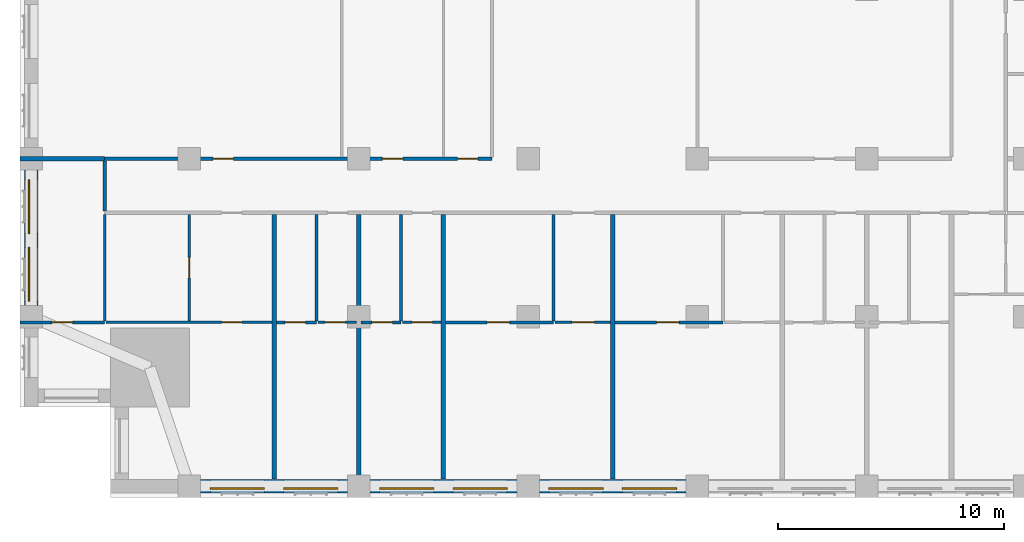
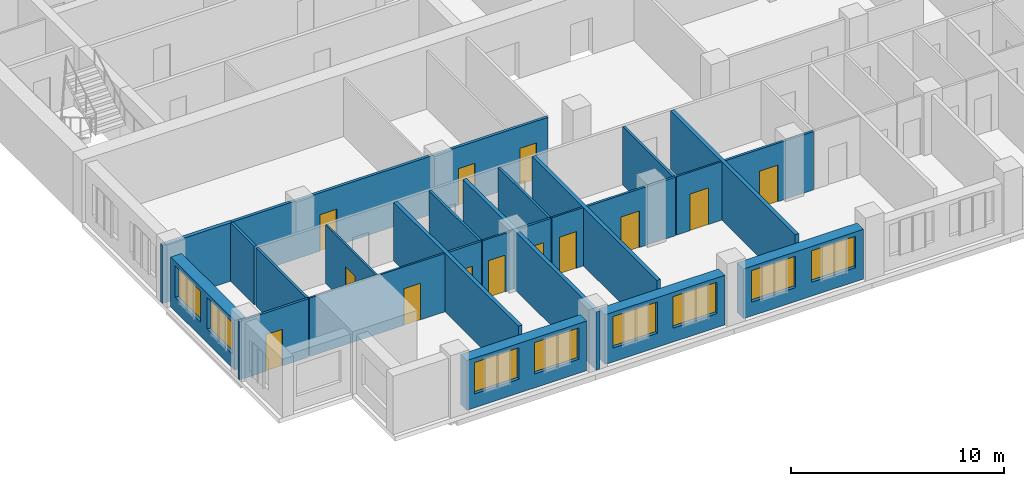
# One storey, part 4 of 14: 25 walls, 13 doors, 8 windows, 21 openings.
"""IFC4 building model written with IfcOpenShell, lengths in metres."""

from ifc_helpers import new_model, si_unit, direction, frame, frame_2d, origin, place, context, subcontext, project, spatial, rectangle, extrude, material, layer, layer_set, type_object, element, fill, save


model = new_model("IFC4")

# Units and contexts
model_context = context("Model", 3, precision=1e-05, world=origin(), true_north=direction((0.0, 1.0)))
body_context = subcontext(model_context, "Body", "Model", "MODEL_VIEW")
ifc_project = project(units=[si_unit("LENGTHUNIT", "METRE"), si_unit("AREAUNIT", "SQUARE_METRE"), si_unit("VOLUMEUNIT", "CUBIC_METRE"), si_unit("PLANEANGLEUNIT", "RADIAN"), si_unit("MASSUNIT", "GRAM", prefix="KILO")], contexts=[model_context])

# Site, building, storey
site_placement = place(None, origin())
site = spatial("IfcSite", under=ifc_project, at=site_placement, CompositionType="ELEMENT")
building_placement = place(site_placement, origin())
building = spatial("IfcBuilding", under=site, at=building_placement, Name="Tamorin Gate", CompositionType="ELEMENT")
storey_placement = place(building_placement, frame((0.0, 0.0, 155.39990234375)))
storey = spatial("IfcBuildingStorey", under=building, at=storey_placement, Name="L38", CompositionType="ELEMENT", Elevation=155.39990234375)

# Wall, openings, windows
ifc_material_1 = material(Name="Precast concrete C40/50", Category="concrete")
ifc_layer_1 = layer(ifc_material_1, 0.60009765625)
ifc_layer_set_1 = layer_set([ifc_layer_1], Name="Precast concrete C40/50")
wall_type_1 = type_object("IfcWallType", Name="Board-marked concrete facade panel 600", PredefinedType="SOLIDWALL", material=ifc_layer_set_1)
wall_1_placement = place(storey_placement, frame((38.0, 38.0, 0.0), z_axis=(0.0, 0.0, 1.0), x_axis=(1.0, 0.0, 0.0)))
wall_1 = element("IfcWall", 1, at=wall_1_placement, inside=storey, type_object=wall_type_1, Name="Facade panel", PredefinedType="SOLIDWALL", context=body_context, shape_type="SweptSolid", body=[
    extrude(rectangle(XDim=6.5, YDim=0.60009765625, at=frame_2d((3.25, 0.0))), origin(), (0.0, 0.0, 1.0), 2.85009765625),
])
opening_1_placement = place(wall_1_placement, frame((0.425048828125, 0.0, 0.800048828125)))
opening_1 = element("IfcOpeningElement", 2, at=opening_1_placement, cuts=wall_1, Name="Opening WN1", PredefinedType="OPENING", context=body_context, shape_type="SweptSolid", body=[
    extrude(rectangle(XDim=2.39990234375, YDim=1.800048828125, at=frame_2d((1.199951171875, 0.89990234375))), frame((0.0, 0.31005859375, 0.0), z_axis=(0.0, -1.0, 0.0), x_axis=(1.0, 0.0, 0.0)), (0.0, 0.0, 1.0), 0.6201171875),
])
opening_2_placement = place(wall_1_placement, frame((3.675048828125, 0.0, 0.800048828125)))
opening_2 = element("IfcOpeningElement", 3, at=opening_2_placement, cuts=wall_1, Name="Opening WN1", PredefinedType="OPENING", context=body_context, shape_type="SweptSolid", body=[
    extrude(rectangle(XDim=2.39990234375, YDim=1.800048828125, at=frame_2d((1.199951171875, 0.89990234375))), frame((0.0, 0.31005859375, 0.0), z_axis=(0.0, -1.0, 0.0), x_axis=(1.0, 0.0, 0.0)), (0.0, 0.0, 1.0), 0.6201171875),
])
ifc_material_2 = material(Name="Clear glass in aluminium frame", Category="aluminium")
window_type = type_object("IfcWindowType", Name="Deep-set window 2400x1800", PartitioningType="SINGLE_PANEL", PredefinedType="WINDOW", material=ifc_material_2)
window_1_placement = place(opening_1_placement, origin())
window_1 = element("IfcWindow", 4, at=window_1_placement, inside=storey, type_object=window_type, Name="Deep-set window", OverallHeight=1.800048828125, OverallWidth=2.39990234375, PartitioningType="SINGLE_PANEL", PredefinedType="WINDOW", context=body_context, shape_type="SweptSolid", body=[
    extrude(rectangle(XDim=2.39990234375, YDim=1.800048828125, at=frame_2d((1.199951171875, 0.89990234375))), frame((0.0, -0.070068359375, 0.0), z_axis=(0.0, -1.0, 0.0), x_axis=(1.0, 0.0, 0.0)), (0.0, 0.0, 1.0), 0.06005859375),
])
fill(opening_1, window_1)
window_2_placement = place(opening_2_placement, origin())
window_2 = element("IfcWindow", 5, at=window_2_placement, inside=storey, type_object=window_type, Name="Deep-set window", OverallHeight=1.800048828125, OverallWidth=2.39990234375, PartitioningType="SINGLE_PANEL", PredefinedType="WINDOW", context=body_context, shape_type="SweptSolid", body=[
    extrude(rectangle(XDim=2.39990234375, YDim=1.800048828125, at=frame_2d((1.199951171875, 0.89990234375))), frame((0.0, -0.070068359375, 0.0), z_axis=(0.0, -1.0, 0.0), x_axis=(1.0, 0.0, 0.0)), (0.0, 0.0, 1.0), 0.06005859375),
])
fill(opening_2, window_2)

wall_2_placement = place(storey_placement, frame((45.5, 38.0, 0.0), z_axis=(0.0, 0.0, 1.0), x_axis=(1.0, 0.0, 0.0)))
wall_2 = element("IfcWall", 6, at=wall_2_placement, inside=storey, type_object=wall_type_1, Name="Facade panel", PredefinedType="SOLIDWALL", context=body_context, shape_type="SweptSolid", body=[
    extrude(rectangle(XDim=6.5, YDim=0.60009765625, at=frame_2d((3.25, 0.0))), origin(), (0.0, 0.0, 1.0), 2.85009765625),
])
opening_3_placement = place(wall_2_placement, frame((0.425048828125, 0.0, 0.800048828125)))
opening_3 = element("IfcOpeningElement", 7, at=opening_3_placement, cuts=wall_2, Name="Opening WN1", PredefinedType="OPENING", context=body_context, shape_type="SweptSolid", body=[
    extrude(rectangle(XDim=2.39990234375, YDim=1.800048828125, at=frame_2d((1.199951171875, 0.89990234375))), frame((0.0, 0.31005859375, 0.0), z_axis=(0.0, -1.0, 0.0), x_axis=(1.0, 0.0, 0.0)), (0.0, 0.0, 1.0), 0.6201171875),
])
opening_4_placement = place(wall_2_placement, frame((3.675048828125, 0.0, 0.800048828125)))
opening_4 = element("IfcOpeningElement", 8, at=opening_4_placement, cuts=wall_2, Name="Opening WN1", PredefinedType="OPENING", context=body_context, shape_type="SweptSolid", body=[
    extrude(rectangle(XDim=2.39990234375, YDim=1.800048828125, at=frame_2d((1.199951171875, 0.89990234375))), frame((0.0, 0.31005859375, 0.0), z_axis=(0.0, -1.0, 0.0), x_axis=(1.0, 0.0, 0.0)), (0.0, 0.0, 1.0), 0.6201171875),
])
window_3_placement = place(opening_3_placement, origin())
window_3 = element("IfcWindow", 9, at=window_3_placement, inside=storey, type_object=window_type, Name="Deep-set window", OverallHeight=1.800048828125, OverallWidth=2.39990234375, PartitioningType="SINGLE_PANEL", PredefinedType="WINDOW", context=body_context, shape_type="SweptSolid", body=[
    extrude(rectangle(XDim=2.39990234375, YDim=1.800048828125, at=frame_2d((1.199951171875, 0.89990234375))), frame((0.0, -0.070068359375, 0.0), z_axis=(0.0, -1.0, 0.0), x_axis=(1.0, 0.0, 0.0)), (0.0, 0.0, 1.0), 0.06005859375),
])
fill(opening_3, window_3)
window_4_placement = place(opening_4_placement, origin())
window_4 = element("IfcWindow", 10, at=window_4_placement, inside=storey, type_object=window_type, Name="Deep-set window", OverallHeight=1.800048828125, OverallWidth=2.39990234375, PartitioningType="SINGLE_PANEL", PredefinedType="WINDOW", context=body_context, shape_type="SweptSolid", body=[
    extrude(rectangle(XDim=2.39990234375, YDim=1.800048828125, at=frame_2d((1.199951171875, 0.89990234375))), frame((0.0, -0.070068359375, 0.0), z_axis=(0.0, -1.0, 0.0), x_axis=(1.0, 0.0, 0.0)), (0.0, 0.0, 1.0), 0.06005859375),
])
fill(opening_4, window_4)

wall_3_placement = place(storey_placement, frame((53.0, 38.0, 0.0), z_axis=(0.0, 0.0, 1.0), x_axis=(1.0, 0.0, 0.0)))
wall_3 = element("IfcWall", 11, at=wall_3_placement, inside=storey, type_object=wall_type_1, Name="Facade panel", PredefinedType="SOLIDWALL", context=body_context, shape_type="SweptSolid", body=[
    extrude(rectangle(XDim=6.5, YDim=0.60009765625, at=frame_2d((3.25, 0.0))), origin(), (0.0, 0.0, 1.0), 2.85009765625),
])
opening_5_placement = place(wall_3_placement, frame((0.425048828125, 0.0, 0.800048828125)))
opening_5 = element("IfcOpeningElement", 12, at=opening_5_placement, cuts=wall_3, Name="Opening WN1", PredefinedType="OPENING", context=body_context, shape_type="SweptSolid", body=[
    extrude(rectangle(XDim=2.39990234375, YDim=1.800048828125, at=frame_2d((1.199951171875, 0.89990234375))), frame((0.0, 0.31005859375, 0.0), z_axis=(0.0, -1.0, 0.0), x_axis=(1.0, 0.0, 0.0)), (0.0, 0.0, 1.0), 0.6201171875),
])
opening_6_placement = place(wall_3_placement, frame((3.675048828125, 0.0, 0.800048828125)))
opening_6 = element("IfcOpeningElement", 13, at=opening_6_placement, cuts=wall_3, Name="Opening WN1", PredefinedType="OPENING", context=body_context, shape_type="SweptSolid", body=[
    extrude(rectangle(XDim=2.39990234375, YDim=1.800048828125, at=frame_2d((1.199951171875, 0.89990234375))), frame((0.0, 0.31005859375, 0.0), z_axis=(0.0, -1.0, 0.0), x_axis=(1.0, 0.0, 0.0)), (0.0, 0.0, 1.0), 0.6201171875),
])
window_5_placement = place(opening_5_placement, origin())
window_5 = element("IfcWindow", 14, at=window_5_placement, inside=storey, type_object=window_type, Name="Deep-set window", OverallHeight=1.800048828125, OverallWidth=2.39990234375, PartitioningType="SINGLE_PANEL", PredefinedType="WINDOW", context=body_context, shape_type="SweptSolid", body=[
    extrude(rectangle(XDim=2.39990234375, YDim=1.800048828125, at=frame_2d((1.199951171875, 0.89990234375))), frame((0.0, -0.070068359375, 0.0), z_axis=(0.0, -1.0, 0.0), x_axis=(1.0, 0.0, 0.0)), (0.0, 0.0, 1.0), 0.06005859375),
])
fill(opening_5, window_5)
window_6_placement = place(opening_6_placement, origin())
window_6 = element("IfcWindow", 15, at=window_6_placement, inside=storey, type_object=window_type, Name="Deep-set window", OverallHeight=1.800048828125, OverallWidth=2.39990234375, PartitioningType="SINGLE_PANEL", PredefinedType="WINDOW", context=body_context, shape_type="SweptSolid", body=[
    extrude(rectangle(XDim=2.39990234375, YDim=1.800048828125, at=frame_2d((1.199951171875, 0.89990234375))), frame((0.0, -0.070068359375, 0.0), z_axis=(0.0, -1.0, 0.0), x_axis=(1.0, 0.0, 0.0)), (0.0, 0.0, 1.0), 0.06005859375),
])
fill(opening_6, window_6)

wall_4_placement = place(storey_placement, frame((30.5, 52.0, 0.0), z_axis=(0.0, 0.0, 1.0), x_axis=(0.0, -1.0, 0.0)))
wall_4 = element("IfcWall", 16, at=wall_4_placement, inside=storey, type_object=wall_type_1, Name="Facade panel", PredefinedType="SOLIDWALL", context=body_context, shape_type="SweptSolid", body=[
    extrude(rectangle(XDim=6.0, YDim=0.60009765625, at=frame_2d((3.0, 0.0))), origin(), (0.0, 0.0, 1.0), 2.85009765625),
])
opening_7_placement = place(wall_4_placement, frame((3.425048828125, 0.0, 0.800048828125)))
opening_7 = element("IfcOpeningElement", 17, at=opening_7_placement, cuts=wall_4, Name="Opening WN1", PredefinedType="OPENING", context=body_context, shape_type="SweptSolid", body=[
    extrude(rectangle(XDim=2.39990234375, YDim=1.800048828125, at=frame_2d((1.199951171875, 0.89990234375))), frame((0.0, 0.31005859375, 0.0), z_axis=(0.0, -1.0, 0.0), x_axis=(1.0, 0.0, 0.0)), (0.0, 0.0, 1.0), 0.6201171875),
])
opening_8_placement = place(wall_4_placement, frame((0.425048828125, 0.0, 0.800048828125)))
opening_8 = element("IfcOpeningElement", 18, at=opening_8_placement, cuts=wall_4, Name="Opening WN1", PredefinedType="OPENING", context=body_context, shape_type="SweptSolid", body=[
    extrude(rectangle(XDim=2.39990234375, YDim=1.800048828125, at=frame_2d((1.199951171875, 0.89990234375))), frame((0.0, 0.31005859375, 0.0), z_axis=(0.0, -1.0, 0.0), x_axis=(1.0, 0.0, 0.0)), (0.0, 0.0, 1.0), 0.6201171875),
])
window_7_placement = place(opening_7_placement, origin())
window_7 = element("IfcWindow", 19, at=window_7_placement, inside=storey, type_object=window_type, Name="Deep-set window", OverallHeight=1.800048828125, OverallWidth=2.39990234375, PartitioningType="SINGLE_PANEL", PredefinedType="WINDOW", context=body_context, shape_type="SweptSolid", body=[
    extrude(rectangle(XDim=2.39990234375, YDim=1.800048828125, at=frame_2d((1.199951171875, 0.89990234375))), frame((0.0, -0.070068359375, 0.0), z_axis=(0.0, -1.0, 0.0), x_axis=(1.0, 0.0, 0.0)), (0.0, 0.0, 1.0), 0.06005859375),
])
fill(opening_7, window_7)
window_8_placement = place(opening_8_placement, origin())
window_8 = element("IfcWindow", 20, at=window_8_placement, inside=storey, type_object=window_type, Name="Deep-set window", OverallHeight=1.800048828125, OverallWidth=2.39990234375, PartitioningType="SINGLE_PANEL", PredefinedType="WINDOW", context=body_context, shape_type="SweptSolid", body=[
    extrude(rectangle(XDim=2.39990234375, YDim=1.800048828125, at=frame_2d((1.199951171875, 0.89990234375))), frame((0.0, -0.070068359375, 0.0), z_axis=(0.0, -1.0, 0.0), x_axis=(1.0, 0.0, 0.0)), (0.0, 0.0, 1.0), 0.06005859375),
])
fill(opening_8, window_8)

# Wall, openings, doors
ifc_material_3 = material(Name="Gypsum board partition")
ifc_layer_2 = layer(ifc_material_3, 0.14990234375)
ifc_layer_set_2 = layer_set([ifc_layer_2], Name="Corridor wall 150")
wall_type_2 = type_object("IfcWallType", Name="Corridor wall 150", PredefinedType="PARTITIONING", material=ifc_layer_set_2)
wall_5_placement = place(storey_placement, frame((33.75, 52.5, 0.0), z_axis=(0.0, 0.0, 1.0), x_axis=(1.0, 0.0, 0.0)))
wall_5 = element("IfcWall", 21, at=wall_5_placement, inside=storey, type_object=wall_type_2, Name="Corridor wall 150", PredefinedType="PARTITIONING", context=body_context, shape_type="SweptSolid", body=[
    extrude(rectangle(XDim=17.14990234375, YDim=0.14990234375, at=frame_2d((8.574951171875, 0.0))), origin(), (0.0, 0.0, 1.0), 3.35009765625),
])
opening_9_placement = place(wall_5_placement, frame((4.800048828125, 0.0, 0.0)))
opening_9 = element("IfcOpeningElement", 22, at=opening_9_placement, cuts=wall_5, Name="Opening DS4071", PredefinedType="OPENING", context=body_context, shape_type="SweptSolid", body=[
    extrude(rectangle(XDim=0.89990234375, YDim=2.10009765625, at=frame_2d((0.449951171875, 1.050048828125))), frame((0.0, 0.0849609375, 0.0), z_axis=(0.0, -1.0, 0.0), x_axis=(1.0, 0.0, 0.0)), (0.0, 0.0, 1.0), 0.169921875),
])
opening_10_placement = place(wall_5_placement, frame((12.300048828125, 0.0, 0.0)))
opening_10 = element("IfcOpeningElement", 23, at=opening_10_placement, cuts=wall_5, Name="Opening DS4072", PredefinedType="OPENING", context=body_context, shape_type="SweptSolid", body=[
    extrude(rectangle(XDim=0.89990234375, YDim=2.10009765625, at=frame_2d((0.449951171875, 1.050048828125))), frame((0.0, 0.0849609375, 0.0), z_axis=(0.0, -1.0, 0.0), x_axis=(1.0, 0.0, 0.0)), (0.0, 0.0, 1.0), 0.169921875),
])
opening_11_placement = place(wall_5_placement, frame((15.625, 0.0, 0.0)))
opening_11 = element("IfcOpeningElement", 24, at=opening_11_placement, cuts=wall_5, Name="Opening DS4073", PredefinedType="OPENING", context=body_context, shape_type="SweptSolid", body=[
    extrude(rectangle(XDim=0.89990234375, YDim=2.10009765625, at=frame_2d((0.449951171875, 1.050048828125))), frame((0.0, 0.0849609375, 0.0), z_axis=(0.0, -1.0, 0.0), x_axis=(1.0, 0.0, 0.0)), (0.0, 0.0, 1.0), 0.169921875),
])
ifc_material_4 = material(Name="Timber door leaf", Category="wood")
door_type_1 = type_object("IfcDoorType", Name="Door 900 x 2100 FD30S", OperationType="NOTDEFINED", PredefinedType="DOOR", material=ifc_material_4)
door_1_placement = place(opening_9_placement, origin())
door_1 = element("IfcDoor", 25, at=door_1_placement, inside=storey, type_object=door_type_1, Name="Door DS4071", OperationType="SINGLE_SWING_LEFT", OverallHeight=2.10009765625, OverallWidth=0.89990234375, PredefinedType="DOOR", context=body_context, shape_type="SweptSolid", body=[
    extrude(rectangle(XDim=0.89990234375, YDim=2.10009765625, at=frame_2d((0.449951171875, 1.050048828125))), frame((0.0, 0.02490234375, 0.0), z_axis=(0.0, -1.0, 0.0), x_axis=(1.0, 0.0, 0.0)), (0.0, 0.0, 1.0), 0.050048828125),
])
fill(opening_9, door_1)
door_2_placement = place(opening_10_placement, origin())
door_2 = element("IfcDoor", 26, at=door_2_placement, inside=storey, type_object=door_type_1, Name="Door DS4072", OperationType="SINGLE_SWING_LEFT", OverallHeight=2.10009765625, OverallWidth=0.89990234375, PredefinedType="DOOR", context=body_context, shape_type="SweptSolid", body=[
    extrude(rectangle(XDim=0.89990234375, YDim=2.10009765625, at=frame_2d((0.449951171875, 1.050048828125))), frame((0.0, 0.02490234375, 0.0), z_axis=(0.0, -1.0, 0.0), x_axis=(1.0, 0.0, 0.0)), (0.0, 0.0, 1.0), 0.050048828125),
])
fill(opening_10, door_2)
door_3_placement = place(opening_11_placement, origin())
door_3 = element("IfcDoor", 27, at=door_3_placement, inside=storey, type_object=door_type_1, Name="Door DS4073", OperationType="SINGLE_SWING_LEFT", OverallHeight=2.10009765625, OverallWidth=0.89990234375, PredefinedType="DOOR", context=body_context, shape_type="SweptSolid", body=[
    extrude(rectangle(XDim=0.89990234375, YDim=2.10009765625, at=frame_2d((0.449951171875, 1.050048828125))), frame((0.0, 0.02490234375, 0.0), z_axis=(0.0, -1.0, 0.0), x_axis=(1.0, 0.0, 0.0)), (0.0, 0.0, 1.0), 0.050048828125),
])
fill(opening_11, door_3)

# Walls
wall_6_placement = place(storey_placement, frame((33.75, 50.175048828125, 0.0), z_axis=(0.0, 0.0, 1.0), x_axis=(0.0, 1.0, 0.0)))
element("IfcWall", 28, at=wall_6_placement, inside=storey, type_object=wall_type_2, Name="Corridor wall 150", PredefinedType="PARTITIONING", context=body_context, shape_type="SweptSolid", body=[
    extrude(rectangle(XDim=2.224853515625, YDim=0.14990234375, at=frame_2d((1.1123046875, 0.0))), origin(), (0.0, 0.0, 1.0), 3.35009765625),
])
ifc_layer_3 = layer(ifc_material_3, 0.199951171875)
ifc_layer_set_3 = layer_set([ifc_layer_3], Name="Demising wall 200")
wall_type_3 = type_object("IfcWallType", Name="Demising wall 200", PredefinedType="PARTITIONING", material=ifc_layer_set_3)
wall_7_placement = place(storey_placement, frame((30.0, 52.5, 0.0), z_axis=(0.0, 0.0, 1.0), x_axis=(1.0, 0.0, 0.0)))
element("IfcWall", 29, at=wall_7_placement, inside=storey, type_object=wall_type_3, Name="Demising wall 200", PredefinedType="PARTITIONING", context=body_context, shape_type="SweptSolid", body=[
    extrude(rectangle(XDim=3.75, YDim=0.199951171875, at=frame_2d((1.875, 0.0))), origin(), (0.0, 0.0, 1.0), 3.35009765625),
])
wall_8_placement = place(storey_placement, frame((41.25, 38.31005859375, 0.0), z_axis=(0.0, 0.0, 1.0), x_axis=(0.0, 1.0, 0.0)))
element("IfcWall", 30, at=wall_8_placement, inside=storey, type_object=wall_type_3, Name="Demising wall 200", PredefinedType="PARTITIONING", context=body_context, shape_type="SweptSolid", body=[
    extrude(rectangle(XDim=11.71484375, YDim=0.199951171875, at=frame_2d((5.857421875, 0.0))), origin(), (0.0, 0.0, 1.0), 3.35009765625),
])
wall_9_placement = place(storey_placement, frame((45.0, 37.5, 0.0), z_axis=(0.0, 0.0, 1.0), x_axis=(0.0, 1.0, 0.0)))
element("IfcWall", 31, at=wall_9_placement, inside=storey, type_object=wall_type_3, Name="Demising wall 200", PredefinedType="PARTITIONING", context=body_context, shape_type="SweptSolid", body=[
    extrude(rectangle(XDim=12.52490234375, YDim=0.199951171875, at=frame_2d((6.262451171875, 0.0))), origin(), (0.0, 0.0, 1.0), 3.35009765625),
])
for number, where, z_axis, x_axis, name in (
    (32, (48.75, 38.31005859375, 0.0), (0.0, 0.0, 1.0), (0.0, 1.0, 0.0), "Demising wall 200"),
    (33, (56.25, 38.31005859375, 0.0), (0.0, 0.0, 1.0), (0.0, 1.0, 0.0), "Demising wall 200"),
):
    element("IfcWall", number, at=place(storey_placement, frame(where, z_axis=z_axis, x_axis=x_axis)), inside=storey, type_object=wall_type_3, Name=name, PredefinedType="PARTITIONING", context=body_context, shape_type="SweptSolid", body=[
        extrude(rectangle(XDim=11.71484375, YDim=0.199951171875, at=frame_2d((5.857421875, 0.0))), origin(), (0.0, 0.0, 1.0), 3.35009765625),
    ])

# Wall, opening, door
ifc_layer_4 = layer(ifc_material_3, 0.10009765625)
ifc_layer_set_4 = layer_set([ifc_layer_4], Name="Room partition 100")
wall_type_4 = type_object("IfcWallType", Name="Room partition 100", PredefinedType="PARTITIONING", material=ifc_layer_set_4)
wall_10_placement = place(storey_placement, frame((33.8125, 45.25, 0.0), z_axis=(0.0, 0.0, 1.0), x_axis=(1.0, 0.0, 0.0)))
wall_10 = element("IfcWall", 34, at=wall_10_placement, inside=storey, type_object=wall_type_4, Name="Room partition 100", PredefinedType="PARTITIONING", context=body_context, shape_type="SweptSolid", body=[
    extrude(rectangle(XDim=7.33740234375, YDim=0.10009765625, at=frame_2d((3.668701171875, 0.0))), origin(), (0.0, 0.0, 1.0), 3.35009765625),
])
opening_12_placement = place(wall_10_placement, frame((5.112548828125, 0.0, 0.0)))
opening_12 = element("IfcOpeningElement", 35, at=opening_12_placement, cuts=wall_10, Name="Opening DS4004", PredefinedType="OPENING", context=body_context, shape_type="SweptSolid", body=[
    extrude(rectangle(XDim=0.89990234375, YDim=2.10009765625, at=frame_2d((0.449951171875, 1.050048828125))), frame((0.0, 0.06005859375, 0.0), z_axis=(0.0, -1.0, 0.0), x_axis=(1.0, 0.0, 0.0)), (0.0, 0.0, 1.0), 0.1201171875),
])
door_type_2 = type_object("IfcDoorType", Name="Door 900 x 2100", OperationType="NOTDEFINED", PredefinedType="DOOR", material=ifc_material_4)
door_4_placement = place(opening_12_placement, origin())
door_4 = element("IfcDoor", 36, at=door_4_placement, inside=storey, type_object=door_type_2, Name="Door DS4004", OperationType="SINGLE_SWING_LEFT", OverallHeight=2.10009765625, OverallWidth=0.89990234375, PredefinedType="DOOR", context=body_context, shape_type="SweptSolid", body=[
    extrude(rectangle(XDim=0.89990234375, YDim=2.10009765625, at=frame_2d((0.449951171875, 1.050048828125))), frame((0.0, 0.02490234375, 0.0), z_axis=(0.0, -1.0, 0.0), x_axis=(1.0, 0.0, 0.0)), (0.0, 0.0, 1.0), 0.050048828125),
])
fill(opening_12, door_4)

wall_11_placement = place(storey_placement, frame((43.1875, 45.25, 0.0), z_axis=(0.0, 0.0, 1.0), x_axis=(1.0, 0.0, 0.0)))
wall_11 = element("IfcWall", 37, at=wall_11_placement, inside=storey, type_object=wall_type_4, Name="Room partition 100", PredefinedType="PARTITIONING", context=body_context, shape_type="SweptSolid", body=[
    extrude(rectangle(XDim=1.71240234375, YDim=0.10009765625, at=frame_2d((0.856201171875, 0.0))), origin(), (0.0, 0.0, 1.0), 3.35009765625),
])
opening_13_placement = place(wall_11_placement, frame((0.324951171875, 0.0, 0.0)))
opening_13 = element("IfcOpeningElement", 38, at=opening_13_placement, cuts=wall_11, Name="Opening DS4007", PredefinedType="OPENING", context=body_context, shape_type="SweptSolid", body=[
    extrude(rectangle(XDim=0.89990234375, YDim=2.10009765625, at=frame_2d((0.449951171875, 1.050048828125))), frame((0.0, 0.06005859375, 0.0), z_axis=(0.0, -1.0, 0.0), x_axis=(1.0, 0.0, 0.0)), (0.0, 0.0, 1.0), 0.1201171875),
])
door_5_placement = place(opening_13_placement, origin())
door_5 = element("IfcDoor", 39, at=door_5_placement, inside=storey, type_object=door_type_2, Name="Door DS4007", OperationType="SINGLE_SWING_LEFT", OverallHeight=2.10009765625, OverallWidth=0.89990234375, PredefinedType="DOOR", context=body_context, shape_type="SweptSolid", body=[
    extrude(rectangle(XDim=0.89990234375, YDim=2.10009765625, at=frame_2d((0.449951171875, 1.050048828125))), frame((0.0, 0.02490234375, 0.0), z_axis=(0.0, -1.0, 0.0), x_axis=(1.0, 0.0, 0.0)), (0.0, 0.0, 1.0), 0.050048828125),
])
fill(opening_13, door_5)

wall_12_placement = place(storey_placement, frame((46.9375, 45.25, 0.0), z_axis=(0.0, 0.0, 1.0), x_axis=(1.0, 0.0, 0.0)))
wall_12 = element("IfcWall", 40, at=wall_12_placement, inside=storey, type_object=wall_type_4, Name="Room partition 100", PredefinedType="PARTITIONING", context=body_context, shape_type="SweptSolid", body=[
    extrude(rectangle(XDim=1.71240234375, YDim=0.10009765625, at=frame_2d((0.856201171875, 0.0))), origin(), (0.0, 0.0, 1.0), 3.35009765625),
])
opening_14_placement = place(wall_12_placement, frame((0.425048828125, 0.0, 0.0)))
opening_14 = element("IfcOpeningElement", 41, at=opening_14_placement, cuts=wall_12, Name="Opening DS4010", PredefinedType="OPENING", context=body_context, shape_type="SweptSolid", body=[
    extrude(rectangle(XDim=0.89990234375, YDim=2.10009765625, at=frame_2d((0.449951171875, 1.050048828125))), frame((0.0, 0.06005859375, 0.0), z_axis=(0.0, -1.0, 0.0), x_axis=(1.0, 0.0, 0.0)), (0.0, 0.0, 1.0), 0.1201171875),
])
door_6_placement = place(opening_14_placement, origin())
door_6 = element("IfcDoor", 42, at=door_6_placement, inside=storey, type_object=door_type_2, Name="Door DS4010", OperationType="SINGLE_SWING_LEFT", OverallHeight=2.10009765625, OverallWidth=0.89990234375, PredefinedType="DOOR", context=body_context, shape_type="SweptSolid", body=[
    extrude(rectangle(XDim=0.89990234375, YDim=2.10009765625, at=frame_2d((0.449951171875, 1.050048828125))), frame((0.0, 0.02490234375, 0.0), z_axis=(0.0, -1.0, 0.0), x_axis=(1.0, 0.0, 0.0)), (0.0, 0.0, 1.0), 0.050048828125),
])
fill(opening_14, door_6)

wall_13_placement = place(storey_placement, frame((53.6875, 45.25, 0.0), z_axis=(0.0, 0.0, 1.0), x_axis=(1.0, 0.0, 0.0)))
wall_13 = element("IfcWall", 43, at=wall_13_placement, inside=storey, type_object=wall_type_4, Name="Room partition 100", PredefinedType="PARTITIONING", context=body_context, shape_type="SweptSolid", body=[
    extrude(rectangle(XDim=2.46240234375, YDim=0.10009765625, at=frame_2d((1.231201171875, 0.0))), origin(), (0.0, 0.0, 1.0), 3.35009765625),
])
opening_15_placement = place(wall_13_placement, frame((0.75, 0.0, 0.0)))
opening_15 = element("IfcOpeningElement", 44, at=opening_15_placement, cuts=wall_13, Name="Opening DS4013", PredefinedType="OPENING", context=body_context, shape_type="SweptSolid", body=[
    extrude(rectangle(XDim=1.0, YDim=2.10009765625, at=frame_2d((0.5, 1.050048828125))), frame((0.0, 0.06005859375, 0.0), z_axis=(0.0, -1.0, 0.0), x_axis=(1.0, 0.0, 0.0)), (0.0, 0.0, 1.0), 0.1201171875),
])
door_type_3 = type_object("IfcDoorType", Name="Door 1000 x 2100", OperationType="NOTDEFINED", PredefinedType="DOOR", material=ifc_material_4)
door_7_placement = place(opening_15_placement, origin())
door_7 = element("IfcDoor", 45, at=door_7_placement, inside=storey, type_object=door_type_3, Name="Door DS4013", OperationType="SINGLE_SWING_LEFT", OverallHeight=2.10009765625, OverallWidth=1.0, PredefinedType="DOOR", context=body_context, shape_type="SweptSolid", body=[
    extrude(rectangle(XDim=1.0, YDim=2.10009765625, at=frame_2d((0.5, 1.050048828125))), frame((0.0, 0.02490234375, 0.0), z_axis=(0.0, -1.0, 0.0), x_axis=(1.0, 0.0, 0.0)), (0.0, 0.0, 1.0), 0.050048828125),
])
fill(opening_15, door_7)

wall_14_placement = place(storey_placement, frame((37.5, 45.300048828125, 0.0), z_axis=(0.0, 0.0, 1.0), x_axis=(0.0, 1.0, 0.0)))
wall_14 = element("IfcWall", 46, at=wall_14_placement, inside=storey, type_object=wall_type_4, Name="Room partition 100", PredefinedType="PARTITIONING", context=body_context, shape_type="SweptSolid", body=[
    extrude(rectangle(XDim=4.724853515625, YDim=0.10009765625, at=frame_2d((2.3623046875, 0.0))), origin(), (0.0, 0.0, 1.0), 3.35009765625),
])
opening_16_placement = place(wall_14_placement, frame((1.925048828125, 0.0, 0.0)))
opening_16 = element("IfcOpeningElement", 47, at=opening_16_placement, cuts=wall_14, Name="Opening DS4002", PredefinedType="OPENING", context=body_context, shape_type="SweptSolid", body=[
    extrude(rectangle(XDim=0.89990234375, YDim=2.10009765625, at=frame_2d((0.449951171875, 1.050048828125))), frame((0.0, 0.06005859375, 0.0), z_axis=(0.0, -1.0, 0.0), x_axis=(1.0, 0.0, 0.0)), (0.0, 0.0, 1.0), 0.1201171875),
])
door_8_placement = place(opening_16_placement, origin())
door_8 = element("IfcDoor", 48, at=door_8_placement, inside=storey, type_object=door_type_2, Name="Door DS4002", OperationType="SINGLE_SWING_RIGHT", OverallHeight=2.10009765625, OverallWidth=0.89990234375, PredefinedType="DOOR", context=body_context, shape_type="SweptSolid", body=[
    extrude(rectangle(XDim=0.89990234375, YDim=2.10009765625, at=frame_2d((0.449951171875, 1.050048828125))), frame((0.0, 0.02490234375, 0.0), z_axis=(0.0, -1.0, 0.0), x_axis=(1.0, 0.0, 0.0)), (0.0, 0.0, 1.0), 0.050048828125),
])
fill(opening_16, door_8)

ifc_layer_5 = layer(ifc_material_3, 0.125)
ifc_layer_set_5 = layer_set([ifc_layer_5], Name="Wet wall 125")
wall_type_5 = type_object("IfcWallType", Name="Wet wall 125", PredefinedType="PARTITIONING", material=ifc_layer_set_5)
wall_15_placement = place(storey_placement, frame((30.0, 45.25, 0.0), z_axis=(0.0, 0.0, 1.0), x_axis=(1.0, 0.0, 0.0)))
wall_15 = element("IfcWall", 49, at=wall_15_placement, inside=storey, type_object=wall_type_5, Name="Wet wall 125", PredefinedType="PARTITIONING", context=body_context, shape_type="SweptSolid", body=[
    extrude(rectangle(XDim=3.75, YDim=0.125, at=frame_2d((1.875, 0.0))), origin(), (0.0, 0.0, 1.0), 3.35009765625),
])
opening_17_placement = place(wall_15_placement, frame((1.425048828125, 0.0, 0.0)))
opening_17 = element("IfcOpeningElement", 50, at=opening_17_placement, cuts=wall_15, Name="Opening DS4001", PredefinedType="OPENING", context=body_context, shape_type="SweptSolid", body=[
    extrude(rectangle(XDim=0.89990234375, YDim=2.10009765625, at=frame_2d((0.449951171875, 1.050048828125))), frame((0.0, 0.072509765625, 0.0), z_axis=(0.0, -1.0, 0.0), x_axis=(1.0, 0.0, 0.0)), (0.0, 0.0, 1.0), 0.14501953125),
])
door_9_placement = place(opening_17_placement, origin())
door_9 = element("IfcDoor", 51, at=door_9_placement, inside=storey, type_object=door_type_2, Name="Door DS4001", OperationType="SINGLE_SWING_LEFT", OverallHeight=2.10009765625, OverallWidth=0.89990234375, PredefinedType="DOOR", context=body_context, shape_type="SweptSolid", body=[
    extrude(rectangle(XDim=0.89990234375, YDim=2.10009765625, at=frame_2d((0.449951171875, 1.050048828125))), frame((0.0, 0.02490234375, 0.0), z_axis=(0.0, -1.0, 0.0), x_axis=(1.0, 0.0, 0.0)), (0.0, 0.0, 1.0), 0.050048828125),
])
fill(opening_17, door_9)

wall_16_placement = place(storey_placement, frame((41.35009765625, 45.25, 0.0), z_axis=(0.0, 0.0, 1.0), x_axis=(1.0, 0.0, 0.0)))
wall_16 = element("IfcWall", 52, at=wall_16_placement, inside=storey, type_object=wall_type_5, Name="Wet wall 125", PredefinedType="PARTITIONING", context=body_context, shape_type="SweptSolid", body=[
    extrude(rectangle(XDim=1.77490234375, YDim=0.125, at=frame_2d((0.887451171875, 0.0))), origin(), (0.0, 0.0, 1.0), 3.35009765625),
])
opening_18_placement = place(wall_16_placement, frame((0.387451171875, 0.0, 0.0)))
opening_18 = element("IfcOpeningElement", 53, at=opening_18_placement, cuts=wall_16, Name="Opening DS4005", PredefinedType="OPENING", context=body_context, shape_type="SweptSolid", body=[
    extrude(rectangle(XDim=0.89990234375, YDim=2.10009765625, at=frame_2d((0.449951171875, 1.050048828125))), frame((0.0, 0.072509765625, 0.0), z_axis=(0.0, -1.0, 0.0), x_axis=(1.0, 0.0, 0.0)), (0.0, 0.0, 1.0), 0.14501953125),
])
door_10_placement = place(opening_18_placement, origin())
door_10 = element("IfcDoor", 54, at=door_10_placement, inside=storey, type_object=door_type_2, Name="Door DS4005", OperationType="SINGLE_SWING_LEFT", OverallHeight=2.10009765625, OverallWidth=0.89990234375, PredefinedType="DOOR", context=body_context, shape_type="SweptSolid", body=[
    extrude(rectangle(XDim=0.89990234375, YDim=2.10009765625, at=frame_2d((0.449951171875, 1.050048828125))), frame((0.0, 0.02490234375, 0.0), z_axis=(0.0, -1.0, 0.0), x_axis=(1.0, 0.0, 0.0)), (0.0, 0.0, 1.0), 0.050048828125),
])
fill(opening_18, door_10)

wall_17_placement = place(storey_placement, frame((45.10009765625, 45.25, 0.0), z_axis=(0.0, 0.0, 1.0), x_axis=(1.0, 0.0, 0.0)))
wall_17 = element("IfcWall", 55, at=wall_17_placement, inside=storey, type_object=wall_type_5, Name="Wet wall 125", PredefinedType="PARTITIONING", context=body_context, shape_type="SweptSolid", body=[
    extrude(rectangle(XDim=1.77490234375, YDim=0.125, at=frame_2d((0.887451171875, 0.0))), origin(), (0.0, 0.0, 1.0), 3.35009765625),
])
opening_19_placement = place(wall_17_placement, frame((0.487548828125, 0.0, 0.0)))
opening_19 = element("IfcOpeningElement", 56, at=opening_19_placement, cuts=wall_17, Name="Opening DS4008", PredefinedType="OPENING", context=body_context, shape_type="SweptSolid", body=[
    extrude(rectangle(XDim=0.89990234375, YDim=2.10009765625, at=frame_2d((0.449951171875, 1.050048828125))), frame((0.0, 0.072509765625, 0.0), z_axis=(0.0, -1.0, 0.0), x_axis=(1.0, 0.0, 0.0)), (0.0, 0.0, 1.0), 0.14501953125),
])
door_11_placement = place(opening_19_placement, origin())
door_11 = element("IfcDoor", 57, at=door_11_placement, inside=storey, type_object=door_type_2, Name="Door DS4008", OperationType="SINGLE_SWING_RIGHT", OverallHeight=2.10009765625, OverallWidth=0.89990234375, PredefinedType="DOOR", context=body_context, shape_type="SweptSolid", body=[
    extrude(rectangle(XDim=0.89990234375, YDim=2.10009765625, at=frame_2d((0.449951171875, 1.050048828125))), frame((0.0, 0.02490234375, 0.0), z_axis=(0.0, -1.0, 0.0), x_axis=(1.0, 0.0, 0.0)), (0.0, 0.0, 1.0), 0.050048828125),
])
fill(opening_19, door_11)

wall_18_placement = place(storey_placement, frame((48.85009765625, 45.25, 0.0), z_axis=(0.0, 0.0, 1.0), x_axis=(1.0, 0.0, 0.0)))
wall_18 = element("IfcWall", 58, at=wall_18_placement, inside=storey, type_object=wall_type_5, Name="Wet wall 125", PredefinedType="PARTITIONING", context=body_context, shape_type="SweptSolid", body=[
    extrude(rectangle(XDim=4.77490234375, YDim=0.125, at=frame_2d((2.387451171875, 0.0))), origin(), (0.0, 0.0, 1.0), 3.35009765625),
])
opening_20_placement = place(wall_18_placement, frame((1.83740234375, 0.0, 0.0)))
opening_20 = element("IfcOpeningElement", 59, at=opening_20_placement, cuts=wall_18, Name="Opening DS4011", PredefinedType="OPENING", context=body_context, shape_type="SweptSolid", body=[
    extrude(rectangle(XDim=1.0, YDim=2.10009765625, at=frame_2d((0.5, 1.050048828125))), frame((0.0, 0.072509765625, 0.0), z_axis=(0.0, -1.0, 0.0), x_axis=(1.0, 0.0, 0.0)), (0.0, 0.0, 1.0), 0.14501953125),
])
door_12_placement = place(opening_20_placement, origin())
door_12 = element("IfcDoor", 60, at=door_12_placement, inside=storey, type_object=door_type_3, Name="Door DS4011", OperationType="SINGLE_SWING_LEFT", OverallHeight=2.10009765625, OverallWidth=1.0, PredefinedType="DOOR", context=body_context, shape_type="SweptSolid", body=[
    extrude(rectangle(XDim=1.0, YDim=2.10009765625, at=frame_2d((0.5, 1.050048828125))), frame((0.0, 0.02490234375, 0.0), z_axis=(0.0, -1.0, 0.0), x_axis=(1.0, 0.0, 0.0)), (0.0, 0.0, 1.0), 0.050048828125),
])
fill(opening_20, door_12)

wall_19_placement = place(storey_placement, frame((56.35009765625, 45.25, 0.0), z_axis=(0.0, 0.0, 1.0), x_axis=(1.0, 0.0, 0.0)))
wall_19 = element("IfcWall", 61, at=wall_19_placement, inside=storey, type_object=wall_type_5, Name="Wet wall 125", PredefinedType="PARTITIONING", context=body_context, shape_type="SweptSolid", body=[
    extrude(rectangle(XDim=4.77490234375, YDim=0.125, at=frame_2d((2.387451171875, 0.0))), origin(), (0.0, 0.0, 1.0), 3.35009765625),
])
opening_21_placement = place(wall_19_placement, frame((1.83740234375, 0.0, 0.0)))
opening_21 = element("IfcOpeningElement", 62, at=opening_21_placement, cuts=wall_19, Name="Opening DS4014", PredefinedType="OPENING", context=body_context, shape_type="SweptSolid", body=[
    extrude(rectangle(XDim=1.0, YDim=2.10009765625, at=frame_2d((0.5, 1.050048828125))), frame((0.0, 0.072509765625, 0.0), z_axis=(0.0, -1.0, 0.0), x_axis=(1.0, 0.0, 0.0)), (0.0, 0.0, 1.0), 0.14501953125),
])
door_13_placement = place(opening_21_placement, origin())
door_13 = element("IfcDoor", 63, at=door_13_placement, inside=storey, type_object=door_type_3, Name="Door DS4014", OperationType="SINGLE_SWING_LEFT", OverallHeight=2.10009765625, OverallWidth=1.0, PredefinedType="DOOR", context=body_context, shape_type="SweptSolid", body=[
    extrude(rectangle(XDim=1.0, YDim=2.10009765625, at=frame_2d((0.5, 1.050048828125))), frame((0.0, 0.02490234375, 0.0), z_axis=(0.0, -1.0, 0.0), x_axis=(1.0, 0.0, 0.0)), (0.0, 0.0, 1.0), 0.050048828125),
])
fill(opening_21, door_13)

# Walls
for number, where, z_axis, x_axis, name in (
    (64, (33.75, 45.3125, 0.0), (0.0, 0.0, 1.0), (0.0, 1.0, 0.0), "Wet wall 125"),
    (65, (43.125, 45.3125, 0.0), (0.0, 0.0, 1.0), (0.0, 1.0, 0.0), "Wet wall 125"),
    (66, (46.875, 45.3125, 0.0), (0.0, 0.0, 1.0), (0.0, 1.0, 0.0), "Wet wall 125"),
    (67, (53.625, 45.3125, 0.0), (0.0, 0.0, 1.0), (0.0, 1.0, 0.0), "Wet wall 125"),
):
    element("IfcWall", number, at=place(storey_placement, frame(where, z_axis=z_axis, x_axis=x_axis)), inside=storey, type_object=wall_type_5, Name=name, PredefinedType="PARTITIONING", context=body_context, shape_type="SweptSolid", body=[
        extrude(rectangle(XDim=4.71240234375, YDim=0.125, at=frame_2d((2.356201171875, 0.0))), origin(), (0.0, 0.0, 1.0), 3.35009765625),
    ])

save(model, "model.ifc")
